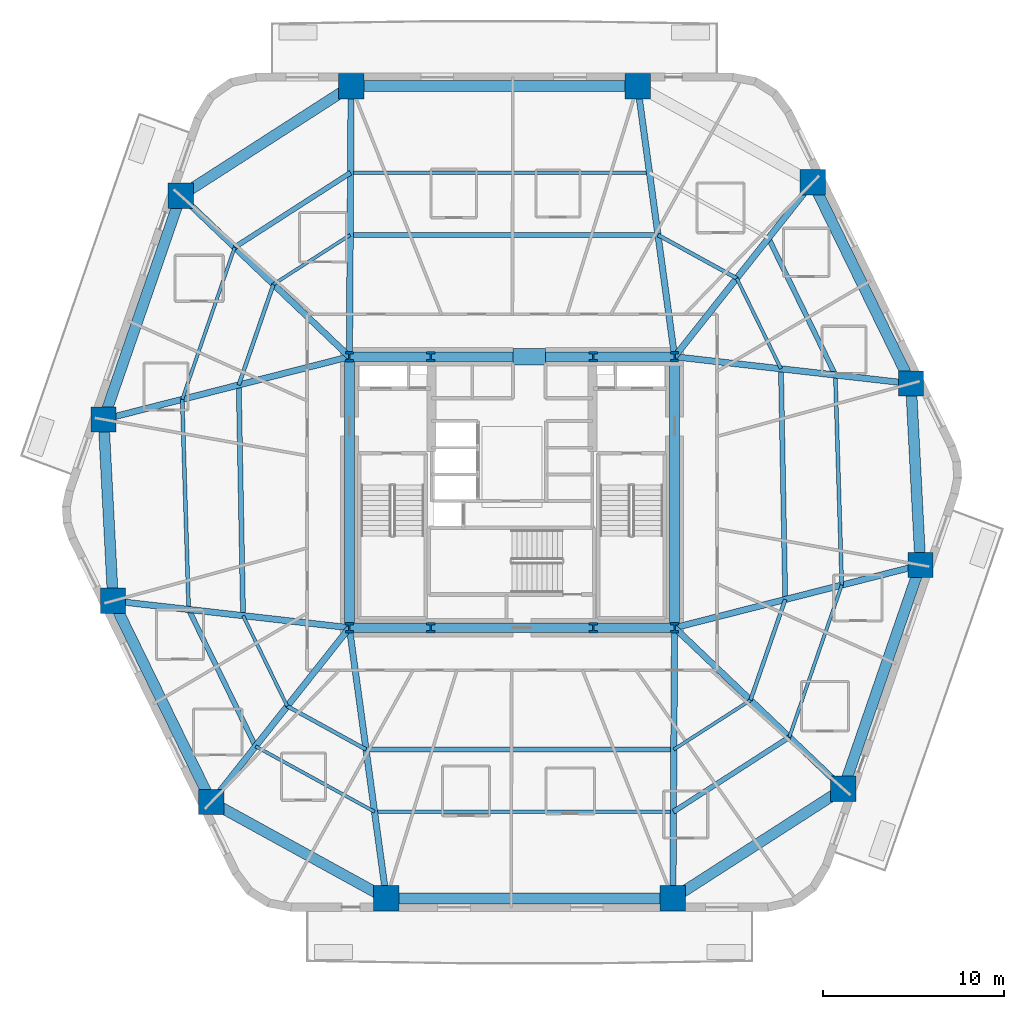
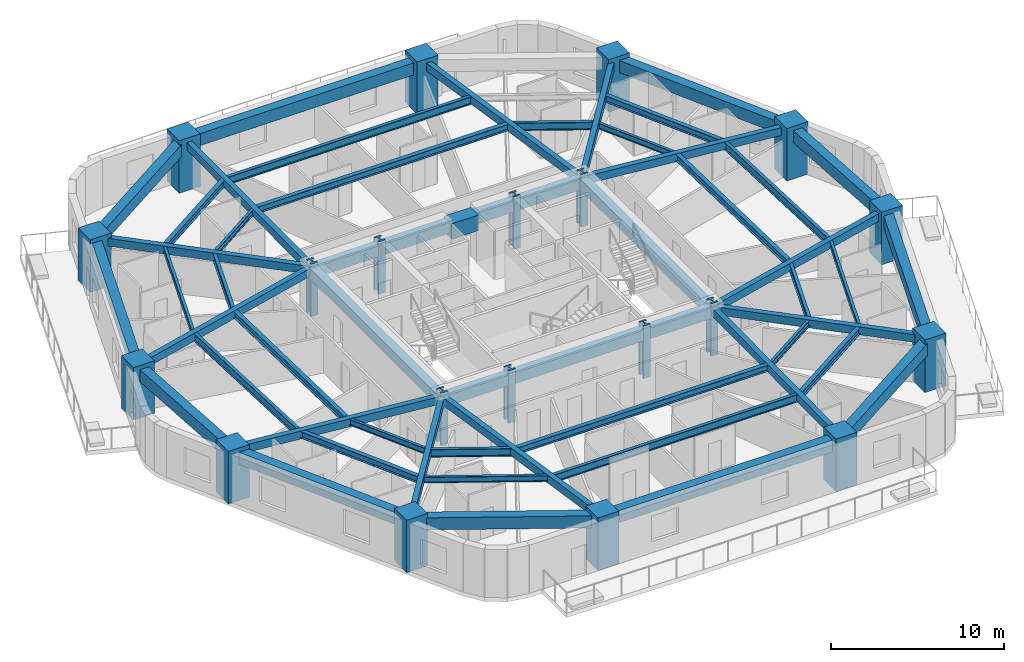
# One storey, part 1 of 11: 55 beams, 20 columns.
"""IFC4 building model written with IfcOpenShell, lengths in metres."""

from ifc_helpers import new_model, si_unit, direction, frame, origin, origin_2d, place, context, subcontext, project, spatial, rectangle, i_section, extrude, material, material_profile, profile_set, type_object, element, save


model = new_model("IFC4")

# Units and contexts
model_context = context("Model", 3, precision=1e-05, world=origin(), true_north=direction((0.0, 1.0)))
body_context = subcontext(model_context, "Body", "Model", "MODEL_VIEW")
ifc_project = project(units=[si_unit("LENGTHUNIT", "METRE"), si_unit("AREAUNIT", "SQUARE_METRE"), si_unit("VOLUMEUNIT", "CUBIC_METRE"), si_unit("PLANEANGLEUNIT", "RADIAN"), si_unit("MASSUNIT", "GRAM", prefix="KILO")], contexts=[model_context])

# Site, building, storey
site_placement = place(None, origin())
site = spatial("IfcSite", under=ifc_project, at=site_placement, CompositionType="ELEMENT")
building_placement = place(site_placement, origin())
building = spatial("IfcBuilding", under=site, at=building_placement, Name="Kilnhurst Terrace Hotel", CompositionType="ELEMENT")
storey_placement = place(building_placement, frame((0.0, 0.0, 34.199951171875)))
storey = spatial("IfcBuildingStorey", under=building, at=storey_placement, Name="L06", CompositionType="ELEMENT", Elevation=34.199951171875)

# Columns
ifc_material_1 = material(Name="Concrete C80/95", Category="concrete")
ifc_material_profile_1 = material_profile(ifc_material_1, rectangle(XDim=1.39990234375, YDim=1.39990234375, at=origin_2d()), Name="RC1400X1400")
ifc_profile_set_1 = profile_set([ifc_material_profile_1], Name="Concrete C80/95")
column_type_1 = type_object("IfcColumnType", Name="COL-RC-1400", PredefinedType="COLUMN", material=ifc_profile_set_1)
for number, where, z_axis, x_axis, name in (
    (1, (-6.955078125, -22.47998046875, 0.0), (0.0, 0.0, 1.0), (1.0, 0.0, 0.0), "L06 Structural Column PC-F11"),
    (2, (8.905029296875, -22.47998046875, 0.0), (0.0, 0.0, 1.0), (1.0, 0.0, 0.0), "L06 Structural Column PC-F12"),
    (3, (18.337890625, -16.410888671875, 0.0), (0.0, 0.0, 1.0), (1.0, 0.0, 0.0), "L06 Structural Column PC-F21"),
    (4, (22.60888671875, -4.029052734375, 0.0), (0.0, 0.0, 1.0), (1.0, 0.0, 0.0), "L06 Structural Column PC-F22"),
    (5, (22.083984375, 6.013916015625, 0.0), (0.0, 0.0, 1.0), (1.0, 0.0, 0.0), "L06 Structural Column PC-F31"),
    (6, (16.64306640625, 17.152099609375, 0.0), (0.0, 0.0, 1.0), (1.0, 0.0, 0.0), "L06 Structural Column PC-F32"),
    (7, (6.955078125, 22.47998046875, 0.0), (0.0, 0.0, 1.0), (1.0, 0.0, 0.0), "L06 Structural Column PC-F41"),
    (8, (-8.905029296875, 22.47998046875, 0.0), (0.0, 0.0, 1.0), (1.0, 0.0, 0.0), "L06 Structural Column PC-F42"),
    (9, (-18.337890625, 16.410888671875, 0.0), (0.0, 0.0, 1.0), (1.0, 0.0, 0.0), "L06 Structural Column PC-F51"),
    (10, (-22.60888671875, 4.029052734375, 0.0), (0.0, 0.0, 1.0), (1.0, 0.0, 0.0), "L06 Structural Column PC-F52"),
    (11, (-22.083984375, -6.013916015625, 0.0), (0.0, 0.0, 1.0), (1.0, 0.0, 0.0), "L06 Structural Column PC-F61"),
    (12, (-16.64306640625, -17.152099609375, 0.0), (0.0, 0.0, 1.0), (1.0, 0.0, 0.0), "L06 Structural Column PC-F62"),
):
    element("IfcColumn", number, at=place(storey_placement, frame(where, z_axis=z_axis, x_axis=x_axis)), inside=storey, type_object=column_type_1, Name=name, PredefinedType="COLUMN", context=body_context, shape_type="SweptSolid", body=[
        extrude(rectangle(XDim=1.39990234375, YDim=1.39990234375, at=origin_2d()), origin(), (0.0, 0.0, 1.0), 3.699951171875),
    ])
ifc_material_2 = material(Name="Steel ASTM A992 Grade 50", Category="steel")
ifc_material_profile_2 = material_profile(ifc_material_2, i_section(OverallWidth=0.454345703125, OverallDepth=0.569091796875, WebThickness=0.077880859375, FlangeThickness=0.124755859375, at=origin_2d()), Name="W14X730")
ifc_profile_set_2 = profile_set([ifc_material_profile_2], Name="Steel ASTM A992 Grade 50")
column_type_2 = type_object("IfcColumnType", Name="COL-STL-W14X730", PredefinedType="COLUMN", material=ifc_profile_set_2)
for number, where, z_axis, x_axis, name in (
    (13, (-9.0, -7.5, 0.0), (0.0, 0.0, 1.0), (1.0, 0.0, 0.0), "L06 Structural Column CC-SW"),
    (14, (-4.5, -7.5, 0.0), (0.0, 0.0, 1.0), (1.0, 0.0, 0.0), "L06 Structural Column CC-SC1"),
    (15, (4.5, -7.5, 0.0), (0.0, 0.0, 1.0), (1.0, 0.0, 0.0), "L06 Structural Column CC-SC2"),
    (16, (9.0, -7.5, 0.0), (0.0, 0.0, 1.0), (1.0, 0.0, 0.0), "L06 Structural Column CC-SE"),
    (17, (9.0, 7.5, 0.0), (0.0, 0.0, 1.0), (1.0, 0.0, 0.0), "L06 Structural Column CC-NE"),
    (18, (4.5, 7.5, 0.0), (0.0, 0.0, 1.0), (1.0, 0.0, 0.0), "L06 Structural Column CC-NC2"),
    (19, (-4.5, 7.5, 0.0), (0.0, 0.0, 1.0), (1.0, 0.0, 0.0), "L06 Structural Column CC-NC1"),
    (20, (-9.0, 7.5, 0.0), (0.0, 0.0, 1.0), (1.0, 0.0, 0.0), "L06 Structural Column CC-NW"),
):
    element("IfcColumn", number, at=place(storey_placement, frame(where, z_axis=z_axis, x_axis=x_axis)), inside=storey, type_object=column_type_2, Name=name, PredefinedType="COLUMN", context=body_context, shape_type="SweptSolid", body=[
        extrude(i_section(OverallWidth=0.454345703125, OverallDepth=0.569091796875, WebThickness=0.077880859375, FlangeThickness=0.124755859375, at=origin_2d()), origin(), (0.0, 0.0, 1.0), 3.699951171875),
    ])

# Beams
ifc_material_3 = material(Name="Concrete C50/60", Category="concrete")
ifc_material_profile_3 = material_profile(ifc_material_3, rectangle(XDim=0.35009765625, YDim=0.550048828125, at=origin_2d()), Name="RC350X550")
ifc_profile_set_3 = profile_set([ifc_material_profile_3], Name="Concrete C50/60")
beam_type_1 = type_object("IfcBeamType", Name="BM-RAD-350X550", PredefinedType="BEAM", material=ifc_profile_set_3)
beam_1_placement = place(storey_placement, frame((-9.0, -7.5, 3.125), z_axis=(0.13525588246, -0.990810701527, 0.0), x_axis=(0.990810701527, 0.13525588246, 0.0)))
element("IfcBeam", 21, at=beam_1_placement, inside=storey, type_object=beam_type_1, Name="L06 Radial Floor Beam 1", PredefinedType="BEAM", context=body_context, shape_type="SweptSolid", body=[
    extrude(rectangle(XDim=0.35009765625, YDim=0.550048828125, at=origin_2d()), origin(), (0.0, 0.0, 1.0), 15.118896484375),
])
beam_2_placement = place(storey_placement, frame((9.0, -7.5, 3.125), z_axis=(-0.006339714179, -0.99997990381, 0.0), x_axis=(0.99997990381, -0.006339714179, 0.0)))
element("IfcBeam", 22, at=beam_2_placement, inside=storey, type_object=beam_type_1, Name="L06 Radial Floor Beam 2", PredefinedType="BEAM", context=body_context, shape_type="SweptSolid", body=[
    extrude(rectangle(XDim=0.35009765625, YDim=0.550048828125, at=origin_2d()), origin(), (0.0, 0.0, 1.0), 14.980224609375),
])
beam_3_placement = place(storey_placement, frame((9.0, -7.5, 3.125), z_axis=(0.723454302813, -0.690372270403, 0.0), x_axis=(0.690372270403, 0.723454302813, 0.0)))
element("IfcBeam", 23, at=beam_3_placement, inside=storey, type_object=beam_type_1, Name="L06 Radial Floor Beam 3", PredefinedType="BEAM", context=body_context, shape_type="SweptSolid", body=[
    extrude(rectangle(XDim=0.35009765625, YDim=0.550048828125, at=origin_2d()), origin(), (0.0, 0.0, 1.0), 12.907470703125),
])
beam_4_placement = place(storey_placement, frame((9.0, -7.5, 3.125), z_axis=(0.968980179812, 0.247138445273, 0.0), x_axis=(-0.247138445273, 0.968980179812, 0.0)))
element("IfcBeam", 24, at=beam_4_placement, inside=storey, type_object=beam_type_1, Name="L06 Radial Floor Beam 4", PredefinedType="BEAM", context=body_context, shape_type="SweptSolid", body=[
    extrude(rectangle(XDim=0.35009765625, YDim=0.550048828125, at=origin_2d()), origin(), (0.0, 0.0, 1.0), 14.04443359375),
])
beam_5_placement = place(storey_placement, frame((9.0, 7.5, 3.125), z_axis=(0.993611493249, -0.112854776075, 0.0), x_axis=(0.112854776075, 0.993611493249, 0.0)))
element("IfcBeam", 25, at=beam_5_placement, inside=storey, type_object=beam_type_1, Name="L06 Radial Floor Beam 5", PredefinedType="BEAM", context=body_context, shape_type="SweptSolid", body=[
    extrude(rectangle(XDim=0.35009765625, YDim=0.550048828125, at=origin_2d()), origin(), (0.0, 0.0, 1.0), 13.168212890625),
])
beam_6_placement = place(storey_placement, frame((9.0, 7.5, 3.125), z_axis=(0.62079385707, 0.783973843329, 0.0), x_axis=(-0.783973843329, 0.62079385707, 0.0)))
element("IfcBeam", 26, at=beam_6_placement, inside=storey, type_object=beam_type_1, Name="L06 Radial Floor Beam 6", PredefinedType="BEAM", context=body_context, shape_type="SweptSolid", body=[
    extrude(rectangle(XDim=0.35009765625, YDim=0.550048828125, at=origin_2d()), origin(), (0.0, 0.0, 1.0), 12.311767578125),
])
beam_7_placement = place(storey_placement, frame((9.0, 7.5, 3.125), z_axis=(-0.13525588246, 0.990810701527, 0.0), x_axis=(-0.990810701527, -0.13525588246, 0.0)))
element("IfcBeam", 27, at=beam_7_placement, inside=storey, type_object=beam_type_1, Name="L06 Radial Floor Beam 7", PredefinedType="BEAM", context=body_context, shape_type="SweptSolid", body=[
    extrude(rectangle(XDim=0.35009765625, YDim=0.550048828125, at=origin_2d()), origin(), (0.0, 0.0, 1.0), 15.118896484375),
])
beam_8_placement = place(storey_placement, frame((-9.0, 7.5, 3.125), z_axis=(0.006339714179, 0.99997990381, 0.0), x_axis=(-0.99997990381, 0.006339714179, 0.0)))
element("IfcBeam", 28, at=beam_8_placement, inside=storey, type_object=beam_type_1, Name="L06 Radial Floor Beam 8", PredefinedType="BEAM", context=body_context, shape_type="SweptSolid", body=[
    extrude(rectangle(XDim=0.35009765625, YDim=0.550048828125, at=origin_2d()), origin(), (0.0, 0.0, 1.0), 14.980224609375),
])
beam_9_placement = place(storey_placement, frame((-9.0, 7.5, 3.125), z_axis=(-0.723454302813, 0.690372270403, 0.0), x_axis=(-0.690372270403, -0.723454302813, 0.0)))
element("IfcBeam", 29, at=beam_9_placement, inside=storey, type_object=beam_type_1, Name="L06 Radial Floor Beam 9", PredefinedType="BEAM", context=body_context, shape_type="SweptSolid", body=[
    extrude(rectangle(XDim=0.35009765625, YDim=0.550048828125, at=origin_2d()), origin(), (0.0, 0.0, 1.0), 12.907470703125),
])
beam_10_placement = place(storey_placement, frame((-9.0, 7.5, 3.125), z_axis=(-0.968980179812, -0.247138445273, 0.0), x_axis=(0.247138445273, -0.968980179812, 0.0)))
element("IfcBeam", 30, at=beam_10_placement, inside=storey, type_object=beam_type_1, Name="L06 Radial Floor Beam 10", PredefinedType="BEAM", context=body_context, shape_type="SweptSolid", body=[
    extrude(rectangle(XDim=0.35009765625, YDim=0.550048828125, at=origin_2d()), origin(), (0.0, 0.0, 1.0), 14.04443359375),
])
beam_11_placement = place(storey_placement, frame((-9.0, -7.5, 3.125), z_axis=(-0.993611493249, 0.112854776075, 0.0), x_axis=(-0.112854776075, -0.993611493249, 0.0)))
element("IfcBeam", 31, at=beam_11_placement, inside=storey, type_object=beam_type_1, Name="L06 Radial Floor Beam 11", PredefinedType="BEAM", context=body_context, shape_type="SweptSolid", body=[
    extrude(rectangle(XDim=0.35009765625, YDim=0.550048828125, at=origin_2d()), origin(), (0.0, 0.0, 1.0), 13.168212890625),
])
beam_12_placement = place(storey_placement, frame((-9.0, -7.5, 3.125), z_axis=(-0.62079385707, -0.783973843329, 0.0), x_axis=(0.783973843329, -0.62079385707, 0.0)))
element("IfcBeam", 32, at=beam_12_placement, inside=storey, type_object=beam_type_1, Name="L06 Radial Floor Beam 12", PredefinedType="BEAM", context=body_context, shape_type="SweptSolid", body=[
    extrude(rectangle(XDim=0.35009765625, YDim=0.550048828125, at=origin_2d()), origin(), (0.0, 0.0, 1.0), 12.311767578125),
])
ifc_material_profile_4 = material_profile(ifc_material_3, rectangle(XDim=0.550048828125, YDim=0.75, at=origin_2d()), Name="RC550X750")
ifc_profile_set_4 = profile_set([ifc_material_profile_4], Name="Concrete C50/60")
beam_type_2 = type_object("IfcBeamType", Name="BM-SPN-550X750", PredefinedType="SPANDREL", material=ifc_profile_set_4)
beam_13_placement = place(storey_placement, frame((-9.0, 7.5, 3.025146484375), z_axis=(1.0, 0.0, 0.0), x_axis=(0.0, 1.0, 0.0)))
element("IfcBeam", 33, at=beam_13_placement, inside=storey, type_object=beam_type_2, Name="L06 Core Tie Beam CC-NW to CC-NC1", PredefinedType="SPANDREL", context=body_context, shape_type="SweptSolid", body=[
    extrude(rectangle(XDim=0.550048828125, YDim=0.75, at=origin_2d()), origin(), (0.0, 0.0, 1.0), 4.5),
])
beam_14_placement = place(storey_placement, frame((-4.5, 7.5, 3.025146484375), z_axis=(1.0, 0.0, 0.0), x_axis=(0.0, 1.0, 0.0)))
element("IfcBeam", 34, at=beam_14_placement, inside=storey, type_object=beam_type_2, Name="L06 Core Tie Beam CC-NC1 to CC-NC2", PredefinedType="SPANDREL", context=body_context, shape_type="SweptSolid", body=[
    extrude(rectangle(XDim=0.550048828125, YDim=0.75, at=origin_2d()), origin(), (0.0, 0.0, 1.0), 9.0),
])
for number, where, z_axis, x_axis, name in (
    (35, (4.5, 7.5, 3.025146484375), (1.0, 0.0, 0.0), (0.0, 1.0, 0.0), "L06 Core Tie Beam CC-NC2 to CC-NE"),
    (36, (-9.0, -7.5, 3.025146484375), (1.0, 0.0, 0.0), (0.0, 1.0, 0.0), "L06 Core Tie Beam CC-SW to CC-SC1"),
):
    element("IfcBeam", number, at=place(storey_placement, frame(where, z_axis=z_axis, x_axis=x_axis)), inside=storey, type_object=beam_type_2, Name=name, PredefinedType="SPANDREL", context=body_context, shape_type="SweptSolid", body=[
        extrude(rectangle(XDim=0.550048828125, YDim=0.75, at=origin_2d()), origin(), (0.0, 0.0, 1.0), 4.5),
    ])
beam_15_placement = place(storey_placement, frame((-4.5, -7.5, 3.025146484375), z_axis=(1.0, 0.0, 0.0), x_axis=(0.0, 1.0, 0.0)))
element("IfcBeam", 37, at=beam_15_placement, inside=storey, type_object=beam_type_2, Name="L06 Core Tie Beam CC-SC1 to CC-SC2", PredefinedType="SPANDREL", context=body_context, shape_type="SweptSolid", body=[
    extrude(rectangle(XDim=0.550048828125, YDim=0.75, at=origin_2d()), origin(), (0.0, 0.0, 1.0), 9.0),
])
beam_16_placement = place(storey_placement, frame((4.5, -7.5, 3.025146484375), z_axis=(1.0, 0.0, 0.0), x_axis=(0.0, 1.0, 0.0)))
element("IfcBeam", 38, at=beam_16_placement, inside=storey, type_object=beam_type_2, Name="L06 Core Tie Beam CC-SC2 to CC-SE", PredefinedType="SPANDREL", context=body_context, shape_type="SweptSolid", body=[
    extrude(rectangle(XDim=0.550048828125, YDim=0.75, at=origin_2d()), origin(), (0.0, 0.0, 1.0), 4.5),
])
for number, where, z_axis, x_axis, name in (
    (39, (-9.0, -7.5, 3.025146484375), (0.0, 1.0, 0.0), (-1.0, 0.0, 0.0), "L06 Core Tie Beam CC-SW to CC-NW"),
    (40, (9.0, -7.5, 3.025146484375), (0.0, 1.0, 0.0), (-1.0, 0.0, 0.0), "L06 Core Tie Beam CC-SE to CC-NE"),
):
    element("IfcBeam", number, at=place(storey_placement, frame(where, z_axis=z_axis, x_axis=x_axis)), inside=storey, type_object=beam_type_2, Name=name, PredefinedType="SPANDREL", context=body_context, shape_type="SweptSolid", body=[
        extrude(rectangle(XDim=0.550048828125, YDim=0.75, at=origin_2d()), origin(), (0.0, 0.0, 1.0), 15.0),
    ])
ifc_material_profile_5 = material_profile(ifc_material_3, rectangle(XDim=0.60009765625, YDim=0.85009765625, at=origin_2d()), Name="RC600X850")
ifc_profile_set_5 = profile_set([ifc_material_profile_5], Name="Concrete C50/60")
beam_type_3 = type_object("IfcBeamType", Name="BM-SPN-600X850", PredefinedType="SPANDREL", material=ifc_profile_set_5)
beam_17_placement = place(storey_placement, frame((-6.955078125, -22.47998046875, 2.97509765625), z_axis=(1.0, 0.0, 0.0), x_axis=(0.0, 1.0, 0.0)))
element("IfcBeam", 41, at=beam_17_placement, inside=storey, type_object=beam_type_3, Name="L06 Perimeter Spandrel Beam 1", PredefinedType="SPANDREL", context=body_context, shape_type="SweptSolid", body=[
    extrude(rectangle(XDim=0.60009765625, YDim=0.85009765625, at=origin_2d()), origin(), (0.0, 0.0, 1.0), 15.860107421875),
])
beam_18_placement = place(storey_placement, frame((8.905029296875, -22.47998046875, 2.97509765625), z_axis=(0.840971204873, 0.541079876335, 0.0), x_axis=(-0.541079876335, 0.840971204873, 0.0)))
element("IfcBeam", 42, at=beam_18_placement, inside=storey, type_object=beam_type_3, Name="L06 Perimeter Spandrel Beam 2", PredefinedType="SPANDREL", context=body_context, shape_type="SweptSolid", body=[
    extrude(rectangle(XDim=0.60009765625, YDim=0.85009765625, at=origin_2d()), origin(), (0.0, 0.0, 1.0), 11.216552734375),
])
beam_19_placement = place(storey_placement, frame((18.337890625, -16.410888671875, 2.97509765625), z_axis=(0.326086040191, 0.945340094565, 0.0), x_axis=(-0.945340094565, 0.326086040191, 0.0)))
element("IfcBeam", 43, at=beam_19_placement, inside=storey, type_object=beam_type_3, Name="L06 Perimeter Spandrel Beam 3", PredefinedType="SPANDREL", context=body_context, shape_type="SweptSolid", body=[
    extrude(rectangle(XDim=0.60009765625, YDim=0.85009765625, at=origin_2d()), origin(), (0.0, 0.0, 1.0), 13.09765625),
])
beam_20_placement = place(storey_placement, frame((22.60888671875, -4.029052734375, 2.97509765625), z_axis=(-0.052194414298, 0.998636942595, 0.0), x_axis=(-0.998636942595, -0.052194414298, 0.0)))
element("IfcBeam", 44, at=beam_20_placement, inside=storey, type_object=beam_type_3, Name="L06 Perimeter Spandrel Beam 4", PredefinedType="SPANDREL", context=body_context, shape_type="SweptSolid", body=[
    extrude(rectangle(XDim=0.60009765625, YDim=0.85009765625, at=origin_2d()), origin(), (0.0, 0.0, 1.0), 10.056640625),
])
beam_21_placement = place(storey_placement, frame((22.083984375, 6.013916015625, 2.97509765625), z_axis=(-0.438922573627, 0.898524888003, 0.0), x_axis=(-0.898524888003, -0.438922573627, 0.0)))
element("IfcBeam", 45, at=beam_21_placement, inside=storey, type_object=beam_type_3, Name="L06 Perimeter Spandrel Beam 5", PredefinedType="SPANDREL", context=body_context, shape_type="SweptSolid", body=[
    extrude(rectangle(XDim=0.60009765625, YDim=0.85009765625, at=origin_2d()), origin(), (0.0, 0.0, 1.0), 12.39599609375),
])
beam_22_placement = place(storey_placement, frame((6.955078125, 22.47998046875, 2.97509765625), z_axis=(-1.0, 0.0, 0.0), x_axis=(0.0, -1.0, 0.0)))
element("IfcBeam", 46, at=beam_22_placement, inside=storey, type_object=beam_type_3, Name="L06 Perimeter Spandrel Beam 7", PredefinedType="SPANDREL", context=body_context, shape_type="SweptSolid", body=[
    extrude(rectangle(XDim=0.60009765625, YDim=0.85009765625, at=origin_2d()), origin(), (0.0, 0.0, 1.0), 15.860107421875),
])
beam_23_placement = place(storey_placement, frame((-8.905029296875, 22.47998046875, 2.97509765625), z_axis=(-0.840971204873, -0.541079876335, 0.0), x_axis=(0.541079876335, -0.840971204873, 0.0)))
element("IfcBeam", 47, at=beam_23_placement, inside=storey, type_object=beam_type_3, Name="L06 Perimeter Spandrel Beam 8", PredefinedType="SPANDREL", context=body_context, shape_type="SweptSolid", body=[
    extrude(rectangle(XDim=0.60009765625, YDim=0.85009765625, at=origin_2d()), origin(), (0.0, 0.0, 1.0), 11.216552734375),
])
beam_24_placement = place(storey_placement, frame((-18.337890625, 16.410888671875, 2.97509765625), z_axis=(-0.326086040191, -0.945340094565, 0.0), x_axis=(0.945340094565, -0.326086040191, 0.0)))
element("IfcBeam", 48, at=beam_24_placement, inside=storey, type_object=beam_type_3, Name="L06 Perimeter Spandrel Beam 9", PredefinedType="SPANDREL", context=body_context, shape_type="SweptSolid", body=[
    extrude(rectangle(XDim=0.60009765625, YDim=0.85009765625, at=origin_2d()), origin(), (0.0, 0.0, 1.0), 13.09765625),
])
beam_25_placement = place(storey_placement, frame((-22.60888671875, 4.029052734375, 2.97509765625), z_axis=(0.052194414298, -0.998636942595, 0.0), x_axis=(0.998636942595, 0.052194414298, 0.0)))
element("IfcBeam", 49, at=beam_25_placement, inside=storey, type_object=beam_type_3, Name="L06 Perimeter Spandrel Beam 10", PredefinedType="SPANDREL", context=body_context, shape_type="SweptSolid", body=[
    extrude(rectangle(XDim=0.60009765625, YDim=0.85009765625, at=origin_2d()), origin(), (0.0, 0.0, 1.0), 10.056640625),
])
beam_26_placement = place(storey_placement, frame((-22.083984375, -6.013916015625, 2.97509765625), z_axis=(0.438922573627, -0.898524888003, 0.0), x_axis=(0.898524888003, 0.438922573627, 0.0)))
element("IfcBeam", 50, at=beam_26_placement, inside=storey, type_object=beam_type_3, Name="L06 Perimeter Spandrel Beam 11", PredefinedType="SPANDREL", context=body_context, shape_type="SweptSolid", body=[
    extrude(rectangle(XDim=0.60009765625, YDim=0.85009765625, at=origin_2d()), origin(), (0.0, 0.0, 1.0), 12.39599609375),
])
beam_27_placement = place(storey_placement, frame((-16.64306640625, -17.152099609375, 2.97509765625), z_axis=(0.876235488803, -0.481883147829, 0.0), x_axis=(0.481883147829, 0.876235488803, 0.0)))
element("IfcBeam", 51, at=beam_27_placement, inside=storey, type_object=beam_type_3, Name="L06 Perimeter Spandrel Beam 12", PredefinedType="SPANDREL", context=body_context, shape_type="SweptSolid", body=[
    extrude(rectangle(XDim=0.60009765625, YDim=0.85009765625, at=origin_2d()), origin(), (0.0, 0.0, 1.0), 11.056396484375),
])
ifc_material_profile_6 = material_profile(ifc_material_2, i_section(OverallWidth=0.180908203125, OverallDepth=0.417236328125, WebThickness=0.010986328125, FlangeThickness=0.018310546875, at=origin_2d()), Name="W16X57")
ifc_profile_set_6 = profile_set([ifc_material_profile_6], Name="Steel ASTM A992 Grade 50")
beam_type_4 = type_object("IfcBeamType", Name="JST-STL-W16X57", PredefinedType="JOIST", material=ifc_profile_set_6)
for number, where, z_axis, x_axis, name in (
    (52, (15.349853515625, -13.5595703125, 3.191162109375), (0.326078536201, 0.945342682961, 0.0), (-0.945342682961, 0.326078536201, 0.0), "L06 Secondary Floor Steel Joist OUT.3"),
    (53, (-15.349853515625, 13.5595703125, 3.191162109375), (-0.326078536201, -0.945342682961, 0.0), (0.945342682961, -0.326078536201, 0.0), "L06 Secondary Floor Steel Joist OUT.9"),
):
    element("IfcBeam", number, at=place(storey_placement, frame(where, z_axis=z_axis, x_axis=x_axis)), inside=storey, type_object=beam_type_4, Name=name, PredefinedType="JOIST", context=body_context, shape_type="SweptSolid", body=[
        extrude(i_section(OverallWidth=0.180908203125, OverallDepth=0.417236328125, WebThickness=0.010986328125, FlangeThickness=0.018310546875, at=origin_2d()), origin(), (0.0, 0.0, 1.0), 8.90673828125),
    ])
beam_28_placement = place(storey_placement, frame((-14.197265625, -14.0634765625, 3.191162109375), z_axis=(0.876246073632, -0.481863900334, 0.0), x_axis=(0.481863900334, 0.876246073632, 0.0)))
element("IfcBeam", 54, at=beam_28_placement, inside=storey, type_object=beam_type_4, Name="L06 Secondary Floor Steel Joist OUT.12", PredefinedType="JOIST", context=body_context, shape_type="SweptSolid", body=[
    extrude(i_section(OverallWidth=0.180908203125, OverallDepth=0.417236328125, WebThickness=0.010986328125, FlangeThickness=0.018310546875, at=origin_2d()), origin(), (0.0, 0.0, 1.0), 7.518310546875),
])
beam_29_placement = place(storey_placement, frame((8.957275390625, -14.240966796875, 3.191162109375), z_axis=(0.840988265896, 0.541053358389, 0.0), x_axis=(-0.541053358389, 0.840988265896, 0.0)))
element("IfcBeam", 55, at=beam_29_placement, inside=storey, type_object=beam_type_4, Name="L06 Secondary Floor Steel Joist IN.2", PredefinedType="JOIST", context=body_context, shape_type="SweptSolid", body=[
    extrude(i_section(OverallWidth=0.180908203125, OverallDepth=0.417236328125, WebThickness=0.010986328125, FlangeThickness=0.018310546875, at=origin_2d()), origin(), (0.0, 0.0, 1.0), 5.04736328125),
])
beam_30_placement = place(storey_placement, frame((14.8876953125, 6.831298828125, 3.191162109375), z_axis=(-0.438896112695, 0.898537813484, 0.0), x_axis=(-0.898537813484, -0.438896112695, 0.0)))
element("IfcBeam", 56, at=beam_30_placement, inside=storey, type_object=beam_type_4, Name="L06 Secondary Floor Steel Joist IN.5", PredefinedType="JOIST", context=body_context, shape_type="SweptSolid", body=[
    extrude(i_section(OverallWidth=0.180908203125, OverallDepth=0.417236328125, WebThickness=0.010986328125, FlangeThickness=0.018310546875, at=origin_2d()), origin(), (0.0, 0.0, 1.0), 5.578125),
])
beam_31_placement = place(storey_placement, frame((-8.957275390625, 14.240966796875, 3.191162109375), z_axis=(-0.840988265896, -0.541053358389, 0.0), x_axis=(0.541053358389, -0.840988265896, 0.0)))
element("IfcBeam", 57, at=beam_31_placement, inside=storey, type_object=beam_type_4, Name="L06 Secondary Floor Steel Joist IN.8", PredefinedType="JOIST", context=body_context, shape_type="SweptSolid", body=[
    extrude(i_section(OverallWidth=0.180908203125, OverallDepth=0.417236328125, WebThickness=0.010986328125, FlangeThickness=0.018310546875, at=origin_2d()), origin(), (0.0, 0.0, 1.0), 5.04736328125),
])
beam_32_placement = place(storey_placement, frame((-14.8876953125, -6.831298828125, 3.191162109375), z_axis=(0.438896112695, -0.898537813484, 0.0), x_axis=(0.898537813484, 0.438896112695, 0.0)))
element("IfcBeam", 58, at=beam_32_placement, inside=storey, type_object=beam_type_4, Name="L06 Secondary Floor Steel Joist IN.11", PredefinedType="JOIST", context=body_context, shape_type="SweptSolid", body=[
    extrude(i_section(OverallWidth=0.180908203125, OverallDepth=0.417236328125, WebThickness=0.010986328125, FlangeThickness=0.018310546875, at=origin_2d()), origin(), (0.0, 0.0, 1.0), 5.578125),
])
ifc_material_profile_7 = material_profile(ifc_material_2, i_section(OverallWidth=0.279296875, OverallDepth=0.462890625, WebThickness=0.0107421875, FlangeThickness=0.017333984375, at=origin_2d()), Name="W18X76")
ifc_profile_set_7 = profile_set([ifc_material_profile_7], Name="Steel ASTM A992 Grade 50")
beam_type_5 = type_object("IfcBeamType", Name="JST-STL-W18X76", PredefinedType="JOIST", material=ifc_profile_set_7)
beam_33_placement = place(storey_placement, frame((8.935302734375, -17.686279296875, 3.16796875), z_axis=(0.840995388529, 0.54104228714, 0.0), x_axis=(-0.54104228714, 0.840995388529, 0.0)))
element("IfcBeam", 59, at=beam_33_placement, inside=storey, type_object=beam_type_5, Name="L06 Secondary Floor Steel Joist OUT.2", PredefinedType="JOIST", context=body_context, shape_type="SweptSolid", body=[
    extrude(i_section(OverallWidth=0.279296875, OverallDepth=0.462890625, WebThickness=0.0107421875, FlangeThickness=0.017333984375, at=origin_2d()), origin(), (0.0, 0.0, 1.0), 7.62744140625),
])
beam_34_placement = place(storey_placement, frame((17.897216796875, 6.489501953125, 3.16796875), z_axis=(-0.438934275949, 0.898519171413, 0.0), x_axis=(-0.898519171413, -0.438934275949, 0.0)))
element("IfcBeam", 60, at=beam_34_placement, inside=storey, type_object=beam_type_5, Name="L06 Secondary Floor Steel Joist OUT.5", PredefinedType="JOIST", context=body_context, shape_type="SweptSolid", body=[
    extrude(i_section(OverallWidth=0.279296875, OverallDepth=0.462890625, WebThickness=0.0107421875, FlangeThickness=0.017333984375, at=origin_2d()), origin(), (0.0, 0.0, 1.0), 8.429443359375),
])
beam_35_placement = place(storey_placement, frame((-8.935302734375, 17.686279296875, 3.16796875), z_axis=(-0.840995388529, -0.54104228714, 0.0), x_axis=(0.54104228714, -0.840995388529, 0.0)))
element("IfcBeam", 61, at=beam_35_placement, inside=storey, type_object=beam_type_5, Name="L06 Secondary Floor Steel Joist OUT.8", PredefinedType="JOIST", context=body_context, shape_type="SweptSolid", body=[
    extrude(i_section(OverallWidth=0.279296875, OverallDepth=0.462890625, WebThickness=0.0107421875, FlangeThickness=0.017333984375, at=origin_2d()), origin(), (0.0, 0.0, 1.0), 7.62744140625),
])
beam_36_placement = place(storey_placement, frame((-17.897216796875, -6.489501953125, 3.16796875), z_axis=(0.438934275949, -0.898519171413, 0.0), x_axis=(0.898519171413, 0.438934275949, 0.0)))
element("IfcBeam", 62, at=beam_36_placement, inside=storey, type_object=beam_type_5, Name="L06 Secondary Floor Steel Joist OUT.11", PredefinedType="JOIST", context=body_context, shape_type="SweptSolid", body=[
    extrude(i_section(OverallWidth=0.279296875, OverallDepth=0.462890625, WebThickness=0.0107421875, FlangeThickness=0.017333984375, at=origin_2d()), origin(), (0.0, 0.0, 1.0), 8.429443359375),
])
beam_37_placement = place(storey_placement, frame((-8.079833984375, -14.240966796875, 3.16796875), z_axis=(1.0, 0.0, 0.0), x_axis=(0.0, 1.0, 0.0)))
element("IfcBeam", 63, at=beam_37_placement, inside=storey, type_object=beam_type_5, Name="L06 Secondary Floor Steel Joist IN.1", PredefinedType="JOIST", context=body_context, shape_type="SweptSolid", body=[
    extrude(i_section(OverallWidth=0.279296875, OverallDepth=0.462890625, WebThickness=0.0107421875, FlangeThickness=0.017333984375, at=origin_2d()), origin(), (0.0, 0.0, 1.0), 17.037109375),
])
beam_38_placement = place(storey_placement, frame((15.1240234375, -5.93798828125, 3.16796875), z_axis=(-0.018504373716, 0.999828779418, 0.0), x_axis=(-0.999828779418, -0.018504373716, 0.0)))
element("IfcBeam", 64, at=beam_38_placement, inside=storey, type_object=beam_type_5, Name="L06 Secondary Floor Steel Joist IN.4", PredefinedType="JOIST", context=body_context, shape_type="SweptSolid", body=[
    extrude(i_section(OverallWidth=0.279296875, OverallDepth=0.462890625, WebThickness=0.0107421875, FlangeThickness=0.017333984375, at=origin_2d()), origin(), (0.0, 0.0, 1.0), 12.771484375),
])
beam_39_placement = place(storey_placement, frame((8.079833984375, 14.240966796875, 3.16796875), z_axis=(-1.0, 0.0, 0.0), x_axis=(0.0, -1.0, 0.0)))
element("IfcBeam", 65, at=beam_39_placement, inside=storey, type_object=beam_type_5, Name="L06 Secondary Floor Steel Joist IN.7", PredefinedType="JOIST", context=body_context, shape_type="SweptSolid", body=[
    extrude(i_section(OverallWidth=0.279296875, OverallDepth=0.462890625, WebThickness=0.0107421875, FlangeThickness=0.017333984375, at=origin_2d()), origin(), (0.0, 0.0, 1.0), 17.037109375),
])
beam_40_placement = place(storey_placement, frame((-15.1240234375, 5.93798828125, 3.16796875), z_axis=(0.018504373716, -0.999828779418, 0.0), x_axis=(0.999828779418, 0.018504373716, 0.0)))
element("IfcBeam", 66, at=beam_40_placement, inside=storey, type_object=beam_type_5, Name="L06 Secondary Floor Steel Joist IN.10", PredefinedType="JOIST", context=body_context, shape_type="SweptSolid", body=[
    extrude(i_section(OverallWidth=0.279296875, OverallDepth=0.462890625, WebThickness=0.0107421875, FlangeThickness=0.017333984375, at=origin_2d()), origin(), (0.0, 0.0, 1.0), 12.771484375),
])
ifc_material_profile_8 = material_profile(ifc_material_2, i_section(OverallWidth=0.2138671875, OverallDepth=0.549072265625, WebThickness=0.0146484375, FlangeThickness=0.023681640625, at=origin_2d()), Name="W21X93")
ifc_profile_set_8 = profile_set([ifc_material_profile_8], Name="Steel ASTM A992 Grade 50")
beam_type_6 = type_object("IfcBeamType", Name="JST-STL-W21X93", PredefinedType="JOIST", material=ifc_profile_set_8)
beam_41_placement = place(storey_placement, frame((-7.609375, -17.686279296875, 3.125), z_axis=(1.0, 0.0, 0.0), x_axis=(0.0, 1.0, 0.0)))
element("IfcBeam", 67, at=beam_41_placement, inside=storey, type_object=beam_type_6, Name="L06 Secondary Floor Steel Joist OUT.1", PredefinedType="JOIST", context=body_context, shape_type="SweptSolid", body=[
    extrude(i_section(OverallWidth=0.2138671875, OverallDepth=0.549072265625, WebThickness=0.0146484375, FlangeThickness=0.023681640625, at=origin_2d()), origin(), (0.0, 0.0, 1.0), 16.544677734375),
])
beam_42_placement = place(storey_placement, frame((18.254150390625, -5.1396484375, 3.125), z_axis=(-0.030678559818, 0.999529302206, 0.0), x_axis=(-0.999529302206, -0.030678559818, 0.0)))
element("IfcBeam", 68, at=beam_42_placement, inside=storey, type_object=beam_type_6, Name="L06 Secondary Floor Steel Joist OUT.4", PredefinedType="JOIST", context=body_context, shape_type="SweptSolid", body=[
    extrude(i_section(OverallWidth=0.2138671875, OverallDepth=0.549072265625, WebThickness=0.0146484375, FlangeThickness=0.023681640625, at=origin_2d()), origin(), (0.0, 0.0, 1.0), 11.634521484375),
])
beam_43_placement = place(storey_placement, frame((7.609375, 17.686279296875, 3.125), z_axis=(-1.0, 0.0, 0.0), x_axis=(0.0, -1.0, 0.0)))
element("IfcBeam", 69, at=beam_43_placement, inside=storey, type_object=beam_type_6, Name="L06 Secondary Floor Steel Joist OUT.7", PredefinedType="JOIST", context=body_context, shape_type="SweptSolid", body=[
    extrude(i_section(OverallWidth=0.2138671875, OverallDepth=0.549072265625, WebThickness=0.0146484375, FlangeThickness=0.023681640625, at=origin_2d()), origin(), (0.0, 0.0, 1.0), 16.544677734375),
])
beam_44_placement = place(storey_placement, frame((-18.254150390625, 5.1396484375, 3.125), z_axis=(0.030678559818, -0.999529302206, 0.0), x_axis=(0.999529302206, 0.030678559818, 0.0)))
element("IfcBeam", 70, at=beam_44_placement, inside=storey, type_object=beam_type_6, Name="L06 Secondary Floor Steel Joist OUT.10", PredefinedType="JOIST", context=body_context, shape_type="SweptSolid", body=[
    extrude(i_section(OverallWidth=0.2138671875, OverallDepth=0.549072265625, WebThickness=0.0146484375, FlangeThickness=0.023681640625, at=origin_2d()), origin(), (0.0, 0.0, 1.0), 11.634521484375),
])
beam_45_placement = place(storey_placement, frame((13.2021484375, -11.510009765625, 3.125), z_axis=(0.326064720391, 0.945347448358, 0.0), x_axis=(-0.945347448358, 0.326064720391, 0.0)))
element("IfcBeam", 71, at=beam_45_placement, inside=storey, type_object=beam_type_6, Name="L06 Secondary Floor Steel Joist IN.3", PredefinedType="JOIST", context=body_context, shape_type="SweptSolid", body=[
    extrude(i_section(OverallWidth=0.2138671875, OverallDepth=0.549072265625, WebThickness=0.0146484375, FlangeThickness=0.023681640625, at=origin_2d()), origin(), (0.0, 0.0, 1.0), 5.89404296875),
])
beam_46_placement = place(storey_placement, frame((12.439453125, 11.843505859375, 3.125), z_axis=(-0.876243879955, 0.481867889408, 0.0), x_axis=(-0.481867889408, -0.876243879955, 0.0)))
element("IfcBeam", 72, at=beam_46_placement, inside=storey, type_object=beam_type_6, Name="L06 Secondary Floor Steel Joist IN.6", PredefinedType="JOIST", context=body_context, shape_type="SweptSolid", body=[
    extrude(i_section(OverallWidth=0.2138671875, OverallDepth=0.549072265625, WebThickness=0.0146484375, FlangeThickness=0.023681640625, at=origin_2d()), origin(), (0.0, 0.0, 1.0), 4.975341796875),
])
beam_47_placement = place(storey_placement, frame((-13.2021484375, 11.510009765625, 3.125), z_axis=(-0.326064720391, -0.945347448358, 0.0), x_axis=(0.945347448358, -0.326064720391, 0.0)))
element("IfcBeam", 73, at=beam_47_placement, inside=storey, type_object=beam_type_6, Name="L06 Secondary Floor Steel Joist IN.9", PredefinedType="JOIST", context=body_context, shape_type="SweptSolid", body=[
    extrude(i_section(OverallWidth=0.2138671875, OverallDepth=0.549072265625, WebThickness=0.0146484375, FlangeThickness=0.023681640625, at=origin_2d()), origin(), (0.0, 0.0, 1.0), 5.89404296875),
])
beam_48_placement = place(storey_placement, frame((-12.439453125, -11.843505859375, 3.125), z_axis=(0.876243879955, -0.481867889408, 0.0), x_axis=(0.481867889408, 0.876243879955, 0.0)))
element("IfcBeam", 74, at=beam_48_placement, inside=storey, type_object=beam_type_6, Name="L06 Secondary Floor Steel Joist IN.12", PredefinedType="JOIST", context=body_context, shape_type="SweptSolid", body=[
    extrude(i_section(OverallWidth=0.2138671875, OverallDepth=0.549072265625, WebThickness=0.0146484375, FlangeThickness=0.023681640625, at=origin_2d()), origin(), (0.0, 0.0, 1.0), 4.975341796875),
])
ifc_material_profile_9 = material_profile(ifc_material_1, rectangle(XDim=0.89990234375, YDim=1.10009765625, at=origin_2d()), Name="RC900X1100")
ifc_profile_set_9 = profile_set([ifc_material_profile_9], Name="Concrete C80/95")
beam_type_7 = type_object("IfcBeamType", Name="LNT-CB-900X1100", PredefinedType="LINTEL", material=ifc_profile_set_9)
beam_49_placement = place(storey_placement, frame((0.050048828125, 7.5, 2.85009765625), z_axis=(1.0, 0.0, 0.0), x_axis=(0.0, 1.0, 0.0)))
element("IfcBeam", 75, at=beam_49_placement, inside=storey, type_object=beam_type_7, Name="L06 North Core Coupling Link Beam", PredefinedType="LINTEL", context=body_context, shape_type="SweptSolid", body=[
    extrude(rectangle(XDim=0.89990234375, YDim=1.10009765625, at=origin_2d()), origin(), (0.0, 0.0, 1.0), 1.800048828125),
])

save(model, "model.ifc")
